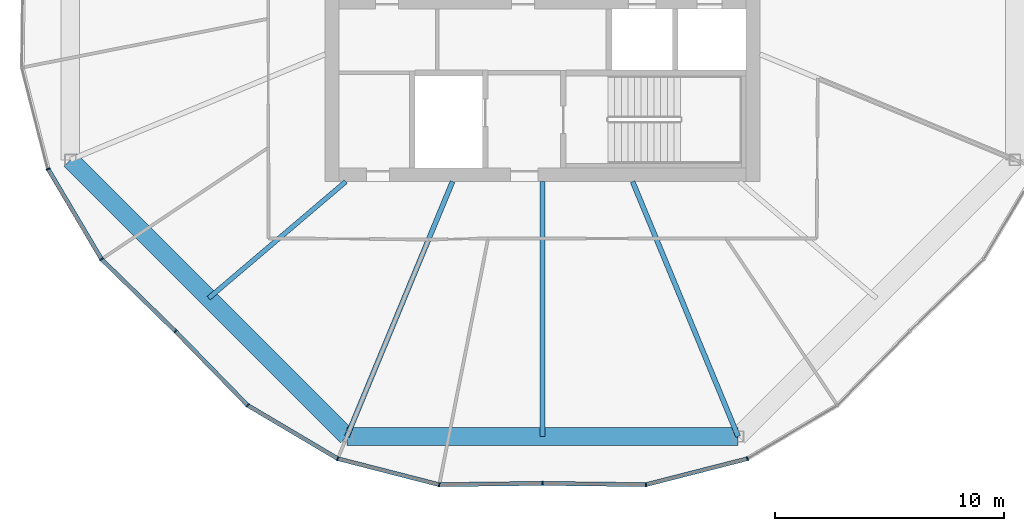
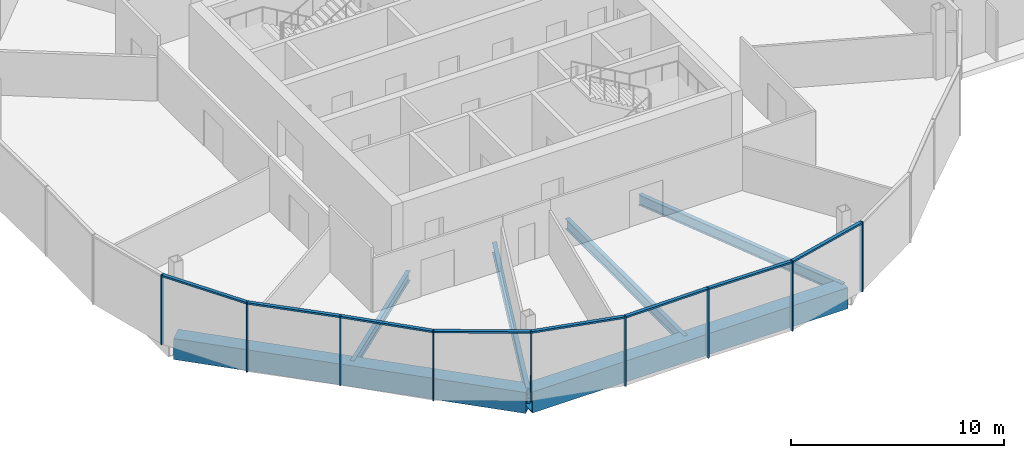
# One storey, part 3 of 25: 17 members, 6 beams, 3 elements without a shape of their own.
"""IFC4 building model written with IfcOpenShell, lengths in metres."""

from ifc_helpers import new_model, si_unit, direction, frame, origin, origin_2d, place, context, subcontext, project, spatial, rectangle, hollow_rectangle, i_section, extrude, material, material_profile, profile_set, type_object, element, aggregate, save


model = new_model("IFC4")

# Units and contexts
model_context = context("Model", 3, precision=1e-05, world=origin(), true_north=direction((0.0, 1.0)))
body_context = subcontext(model_context, "Body", "Model", "MODEL_VIEW")
ifc_project = project(units=[si_unit("LENGTHUNIT", "METRE"), si_unit("AREAUNIT", "SQUARE_METRE"), si_unit("VOLUMEUNIT", "CUBIC_METRE"), si_unit("PLANEANGLEUNIT", "RADIAN"), si_unit("MASSUNIT", "GRAM", prefix="KILO")], contexts=[model_context])

# Site, building, storey
site_placement = place(None, origin())
site = spatial("IfcSite", under=ifc_project, at=site_placement, CompositionType="ELEMENT")
building_placement = place(site_placement, origin())
building = spatial("IfcBuilding", under=site, at=building_placement, Name="Ogive Gate Towers", CompositionType="ELEMENT")
storey_placement = place(building_placement, frame((0.0, 0.0, 144.800048828125)))
storey = spatial("IfcBuildingStorey", under=building, at=storey_placement, Name="L34", CompositionType="ELEMENT", Elevation=144.800048828125)

# Beams
ifc_material_1 = material(Name="Steel SM460", Category="steel")
ifc_material_profile_1 = material_profile(ifc_material_1, hollow_rectangle(XDim=0.800048828125, YDim=1.199951171875, WallThickness=0.050048828125, at=origin_2d()), Name="BX 1200x800x50")
ifc_profile_set_1 = profile_set([ifc_material_profile_1], Name="Steel SM460")
beam_type_1 = type_object("IfcBeamType", Name="Edge girder BX 1200x800x50", PredefinedType="BEAM", material=ifc_profile_set_1)
beam_1_placement = place(storey_placement, frame((-56.639404296875, -8.549072265625, -0.900146484375), z_axis=(0.707106781187, -0.707106781187, 0.0), x_axis=(0.707106781187, 0.707106781187, 0.0)))
element("IfcBeam", 1, at=beam_1_placement, inside=storey, type_object=beam_type_1, Name="T1/L34/SBM017", PredefinedType="BEAM", context=body_context, shape_type="SweptSolid", body=[
    extrude(hollow_rectangle(XDim=0.800048828125, YDim=1.199951171875, WallThickness=0.050048828125, at=origin_2d()), origin(), (0.0, 0.0, 1.0), 17.098388671875),
])
beam_2_placement = place(storey_placement, frame((-44.549072265625, -20.639404296875, -0.900146484375), z_axis=(1.0, 0.0, 0.0), x_axis=(0.0, 1.0, 0.0)))
element("IfcBeam", 2, at=beam_2_placement, inside=storey, type_object=beam_type_1, Name="T1/L34/SBM018", PredefinedType="BEAM", context=body_context, shape_type="SweptSolid", body=[
    extrude(hollow_rectangle(XDim=0.800048828125, YDim=1.199951171875, WallThickness=0.050048828125, at=origin_2d()), origin(), (0.0, 0.0, 1.0), 17.09814453125),
])
ifc_material_2 = material(Name="Steel SM355", Category="steel")
ifc_material_profile_2 = material_profile(ifc_material_2, i_section(OverallWidth=0.2099609375, OverallDepth=0.550048828125, WebThickness=0.010986328125, FlangeThickness=0.01708984375, FilletRadius=0.02392578125, at=origin_2d()), Name="IPE 550")
ifc_profile_set_2 = profile_set([ifc_material_profile_2], Name="Steel SM355")
beam_type_2 = type_object("IfcBeamType", Name="Radial floor beam IPE 550", PredefinedType="BEAM", material=ifc_profile_set_2)
beam_3_placement = place(storey_placement, frame((-44.60009765625, -9.5, -0.574951171875), z_axis=(-0.761988324045, -0.647590761222, 0.0), x_axis=(0.647590761222, -0.761988324045, 0.0)))
element("IfcBeam", 3, at=beam_3_placement, inside=storey, type_object=beam_type_2, Name="T1/L34/SBM002", PredefinedType="BEAM", context=body_context, shape_type="SweptSolid", body=[
    extrude(i_section(OverallWidth=0.2099609375, OverallDepth=0.550048828125, WebThickness=0.010986328125, FlangeThickness=0.01708984375, FilletRadius=0.02392578125, at=origin_2d()), origin(), (0.0, 0.0, 1.0), 7.866455078125),
])
ifc_material_profile_3 = material_profile(ifc_material_2, i_section(OverallWidth=0.219970703125, OverallDepth=0.60009765625, WebThickness=0.011962890625, FlangeThickness=0.01904296875, FilletRadius=0.02392578125, at=origin_2d()), Name="IPE 600")
ifc_profile_set_3 = profile_set([ifc_material_profile_3], Name="Steel SM355")
beam_type_3 = type_object("IfcBeamType", Name="Radial floor beam IPE 600", PredefinedType="BEAM", material=ifc_profile_set_3)
beam_4_placement = place(storey_placement, frame((-39.93505859375, -9.5, -0.60009765625), z_axis=(-0.382677863518, -0.923881839184, 0.0), x_axis=(0.923881839184, -0.382677863518, 0.0)))
element("IfcBeam", 4, at=beam_4_placement, inside=storey, type_object=beam_type_3, Name="T1/L34/SBM003", PredefinedType="BEAM", context=body_context, shape_type="SweptSolid", body=[
    extrude(i_section(OverallWidth=0.219970703125, OverallDepth=0.60009765625, WebThickness=0.011962890625, FlangeThickness=0.01904296875, FilletRadius=0.02392578125, at=origin_2d()), origin(), (0.0, 0.0, 1.0), 12.05712890625),
])
beam_5_placement = place(storey_placement, frame((-36.0, -9.5, -0.60009765625), z_axis=(0.0, -1.0, 0.0), x_axis=(1.0, 0.0, 0.0)))
element("IfcBeam", 5, at=beam_5_placement, inside=storey, type_object=beam_type_3, Name="T1/L34/SBM004", PredefinedType="BEAM", context=body_context, shape_type="SweptSolid", body=[
    extrude(i_section(OverallWidth=0.219970703125, OverallDepth=0.60009765625, WebThickness=0.011962890625, FlangeThickness=0.01904296875, FilletRadius=0.02392578125, at=origin_2d()), origin(), (0.0, 0.0, 1.0), 11.139404296875),
])
beam_6_placement = place(storey_placement, frame((-32.06494140625, -9.5, -0.60009765625), z_axis=(0.382677863518, -0.923881839184, 0.0), x_axis=(0.923881839184, 0.382677863518, 0.0)))
element("IfcBeam", 6, at=beam_6_placement, inside=storey, type_object=beam_type_3, Name="T1/L34/SBM005", PredefinedType="BEAM", context=body_context, shape_type="SweptSolid", body=[
    extrude(i_section(OverallWidth=0.219970703125, OverallDepth=0.60009765625, WebThickness=0.011962890625, FlangeThickness=0.01904296875, FilletRadius=0.02392578125, at=origin_2d()), origin(), (0.0, 0.0, 1.0), 12.05712890625),
])

# Curtain wall, members
ifc_material_3 = material(Name="Pale metal aluminium", Category="aluminium")
curtain_wall_type = type_object("IfcCurtainWallType", Name="Tower unitised wall, high zone", PredefinedType="NOTDEFINED", material=ifc_material_3)
curtain_wall_1_placement = place(storey_placement, origin())
curtain_wall_1 = element("IfcCurtainWall", 7, at=curtain_wall_1_placement, inside=storey, type_object=curtain_wall_type, Name="CW2 T1 ECW05", PredefinedType="NOTDEFINED")
ifc_material_profile_4 = material_profile(ifc_material_3, rectangle(XDim=0.179931640625, YDim=0.06005859375, at=origin_2d()), Name="60 x 180 aluminium box")
ifc_profile_set_4 = profile_set([ifc_material_profile_4], Name="Pale metal aluminium")
member_type_1 = type_object("IfcMemberType", Name="Tower unitised wall, high zone mullion 60 x 180", PredefinedType="MULLION", material=ifc_profile_set_4)
member_1_placement = place(storey_placement, frame((-57.610595703125, -8.951416015625, -0.300048828125), z_axis=(0.0, 0.0, 1.0), x_axis=(-0.923879532511, -0.382683432365, 0.0)))
member_1 = element("IfcMember", 8, at=member_1_placement, type_object=member_type_1, Name="CW2 mullion", PredefinedType="MULLION", context=body_context, shape_type="SweptSolid", body=[
    extrude(rectangle(XDim=0.179931640625, YDim=0.06005859375, at=origin_2d()), origin(), (0.0, 0.0, 1.0), 4.0),
])
member_2_placement = place(storey_placement, frame((-55.2783203125, -12.889892578125, -0.300048828125), z_axis=(0.0, 0.0, 1.0), x_axis=(-0.786148223999, -0.618038000371, 0.0)))
member_2 = element("IfcMember", 9, at=member_2_placement, type_object=member_type_1, Name="CW2 mullion", PredefinedType="MULLION", context=body_context, shape_type="SweptSolid", body=[
    extrude(rectangle(XDim=0.179931640625, YDim=0.06005859375, at=origin_2d()), origin(), (0.0, 0.0, 1.0), 4.0),
])
member_3_placement = place(storey_placement, frame((-52.044189453125, -16.044189453125, -0.300048828125), z_axis=(0.0, 0.0, 1.0), x_axis=(-0.698240387858, -0.715863367385, 0.0)))
member_3 = element("IfcMember", 10, at=member_3_placement, type_object=member_type_1, Name="CW2 mullion", PredefinedType="MULLION", context=body_context, shape_type="SweptSolid", body=[
    extrude(rectangle(XDim=0.179931640625, YDim=0.06005859375, at=origin_2d()), origin(), (0.0, 0.0, 1.0), 4.0),
])

curtain_wall_2_placement = place(storey_placement, origin())
curtain_wall_2 = element("IfcCurtainWall", 11, at=curtain_wall_2_placement, inside=storey, type_object=curtain_wall_type, Name="CW2 T1 ECW06", PredefinedType="NOTDEFINED")
member_4_placement = place(storey_placement, frame((-48.889892578125, -19.2783203125, -0.300048828125), z_axis=(0.0, 0.0, 1.0), x_axis=(-0.618038000371, -0.786148223999, 0.0)))
member_4 = element("IfcMember", 12, at=member_4_placement, type_object=member_type_1, Name="CW2 mullion", PredefinedType="MULLION", context=body_context, shape_type="SweptSolid", body=[
    extrude(rectangle(XDim=0.179931640625, YDim=0.06005859375, at=origin_2d()), origin(), (0.0, 0.0, 1.0), 4.0),
])
member_5_placement = place(storey_placement, frame((-44.951416015625, -21.610595703125, -0.300048828125), z_axis=(0.0, 0.0, 1.0), x_axis=(-0.382683432365, -0.923879532511, 0.0)))
member_5 = element("IfcMember", 13, at=member_5_placement, type_object=member_type_1, Name="CW2 mullion", PredefinedType="MULLION", context=body_context, shape_type="SweptSolid", body=[
    extrude(rectangle(XDim=0.179931640625, YDim=0.06005859375, at=origin_2d()), origin(), (0.0, 0.0, 1.0), 4.0),
])
member_6_placement = place(storey_placement, frame((-40.517333984375, -22.746337890625, -0.300048828125), z_axis=(0.0, 0.0, 1.0), x_axis=(-0.118889208638, -0.992907526444, 0.0)))
member_6 = element("IfcMember", 14, at=member_6_placement, type_object=member_type_1, Name="CW2 mullion", PredefinedType="MULLION", context=body_context, shape_type="SweptSolid", body=[
    extrude(rectangle(XDim=0.179931640625, YDim=0.06005859375, at=origin_2d()), origin(), (0.0, 0.0, 1.0), 4.0),
])
member_7_placement = place(storey_placement, frame((-36.0, -22.68994140625, -0.300048828125), z_axis=(0.0, 0.0, 1.0), x_axis=(0.012461328328, -0.999922354634, 0.0)))
member_7 = element("IfcMember", 15, at=member_7_placement, type_object=member_type_1, Name="CW2 mullion", PredefinedType="MULLION", context=body_context, shape_type="SweptSolid", body=[
    extrude(rectangle(XDim=0.179931640625, YDim=0.06005859375, at=origin_2d()), origin(), (0.0, 0.0, 1.0), 4.0),
])

curtain_wall_3_placement = place(storey_placement, origin())
curtain_wall_3 = element("IfcCurtainWall", 16, at=curtain_wall_3_placement, inside=storey, type_object=curtain_wall_type, Name="CW2 T1 ECW07", PredefinedType="NOTDEFINED")
member_8_placement = place(storey_placement, frame((-31.482666015625, -22.746337890625, -0.300048828125), z_axis=(0.0, 0.0, 1.0), x_axis=(0.118889208638, -0.992907526444, 0.0)))
member_8 = element("IfcMember", 17, at=member_8_placement, type_object=member_type_1, Name="CW2 mullion", PredefinedType="MULLION", context=body_context, shape_type="SweptSolid", body=[
    extrude(rectangle(XDim=0.179931640625, YDim=0.06005859375, at=origin_2d()), origin(), (0.0, 0.0, 1.0), 4.0),
])
member_9_placement = place(storey_placement, frame((-27.048583984375, -21.610595703125, -0.300048828125), z_axis=(0.0, 0.0, 1.0), x_axis=(0.382683432365, -0.923879532511, 0.0)))
member_9 = element("IfcMember", 18, at=member_9_placement, type_object=member_type_1, Name="CW2 mullion", PredefinedType="MULLION", context=body_context, shape_type="SweptSolid", body=[
    extrude(rectangle(XDim=0.179931640625, YDim=0.06005859375, at=origin_2d()), origin(), (0.0, 0.0, 1.0), 4.0),
])

# Member
ifc_material_profile_5 = material_profile(ifc_material_3, rectangle(XDim=0.179931640625, YDim=0.10009765625, at=origin_2d()), Name="100 x 180 aluminium box")
ifc_profile_set_5 = profile_set([ifc_material_profile_5], Name="Pale metal aluminium")
member_type_2 = type_object("IfcMemberType", Name="Tower unitised wall, high zone transom 100 x 180", PredefinedType="USERDEFINED", material=ifc_profile_set_5)
member_10_placement = place(storey_placement, frame((-57.595703125, -8.975830078125, 3.64990234375), z_axis=(0.509482534209, -0.860480997661, 0.0), x_axis=(0.860480997661, 0.509482534209, 0.0)))
member_10 = element("IfcMember", 19, at=member_10_placement, type_object=member_type_2, Name="CW2 transom", ObjectType="TRANSOM", PredefinedType="USERDEFINED", context=body_context, shape_type="SweptSolid", body=[
    extrude(rectangle(XDim=0.179931640625, YDim=0.10009765625, at=origin_2d()), origin(), (0.0, 0.0, 1.0), 4.519775390625),
])

member_11_placement = place(storey_placement, frame((-55.2578125, -12.909912109375, 3.64990234375), z_axis=(0.71586738825, -0.698236265486, 0.0), x_axis=(0.698236265486, 0.71586738825, 0.0)))
member_11 = element("IfcMember", 20, at=member_11_placement, type_object=member_type_2, Name="CW2 transom", ObjectType="TRANSOM", PredefinedType="USERDEFINED", context=body_context, shape_type="SweptSolid", body=[
    extrude(rectangle(XDim=0.179931640625, YDim=0.10009765625, at=origin_2d()), origin(), (0.0, 0.0, 1.0), 4.458740234375),
])

aggregate(curtain_wall_1, [member_1, member_2, member_10, member_3, member_11])

member_12_placement = place(storey_placement, frame((-52.023193359375, -16.06591796875, 3.64990234375), z_axis=(0.698236265486, -0.71586738825, 0.0), x_axis=(0.71586738825, 0.698236265486, 0.0)))
member_12 = element("IfcMember", 21, at=member_12_placement, type_object=member_type_2, Name="CW2 transom", ObjectType="TRANSOM", PredefinedType="USERDEFINED", context=body_context, shape_type="SweptSolid", body=[
    extrude(rectangle(XDim=0.179931640625, YDim=0.10009765625, at=origin_2d()), origin(), (0.0, 0.0, 1.0), 4.458740234375),
])

member_13_placement = place(storey_placement, frame((-48.864990234375, -19.29296875, 3.64990234375), z_axis=(0.860480997661, -0.509482534209, 0.0), x_axis=(0.509482534209, 0.860480997661, 0.0)))
member_13 = element("IfcMember", 22, at=member_13_placement, type_object=member_type_2, Name="CW2 transom", ObjectType="TRANSOM", PredefinedType="USERDEFINED", context=body_context, shape_type="SweptSolid", body=[
    extrude(rectangle(XDim=0.179931640625, YDim=0.10009765625, at=origin_2d()), origin(), (0.0, 0.0, 1.0), 4.519775390625),
])

member_14_placement = place(storey_placement, frame((-44.923583984375, -21.617431640625, 3.64990234375), z_axis=(0.968708835066, -0.248199905048, 0.0), x_axis=(0.248199905048, 0.968708835066, 0.0)))
member_14 = element("IfcMember", 23, at=member_14_placement, type_object=member_type_2, Name="CW2 transom", ObjectType="TRANSOM", PredefinedType="USERDEFINED", context=body_context, shape_type="SweptSolid", body=[
    extrude(rectangle(XDim=0.179931640625, YDim=0.10009765625, at=origin_2d()), origin(), (0.0, 0.0, 1.0), 4.519775390625),
])

member_15_placement = place(storey_placement, frame((-40.48876953125, -22.745849609375, 3.64990234375), z_axis=(0.999922762686, 0.012428542251, 0.0), x_axis=(-0.012428542251, 0.999922762686, 0.0)))
member_15 = element("IfcMember", 24, at=member_15_placement, type_object=member_type_2, Name="CW2 transom", ObjectType="TRANSOM", PredefinedType="USERDEFINED", context=body_context, shape_type="SweptSolid", body=[
    extrude(rectangle(XDim=0.179931640625, YDim=0.10009765625, at=origin_2d()), origin(), (0.0, 0.0, 1.0), 4.458984375),
])

aggregate(curtain_wall_2, [member_4, member_12, member_5, member_13, member_6, member_14, member_7, member_15])

member_16_placement = place(storey_placement, frame((-35.969970703125, -22.6904296875, 3.64990234375), z_axis=(0.999922762686, -0.012428542251, 0.0), x_axis=(0.012428542251, 0.999922762686, 0.0)))
member_16 = element("IfcMember", 25, at=member_16_placement, type_object=member_type_2, Name="CW2 transom", ObjectType="TRANSOM", PredefinedType="USERDEFINED", context=body_context, shape_type="SweptSolid", body=[
    extrude(rectangle(XDim=0.179931640625, YDim=0.10009765625, at=origin_2d()), origin(), (0.0, 0.0, 1.0), 4.458984375),
])

member_17_placement = place(storey_placement, frame((-31.454833984375, -22.7392578125, 3.64990234375), z_axis=(0.968708835066, 0.248199905048, 0.0), x_axis=(-0.248199905048, 0.968708835066, 0.0)))
member_17 = element("IfcMember", 26, at=member_17_placement, type_object=member_type_2, Name="CW2 transom", ObjectType="TRANSOM", PredefinedType="USERDEFINED", context=body_context, shape_type="SweptSolid", body=[
    extrude(rectangle(XDim=0.179931640625, YDim=0.10009765625, at=origin_2d()), origin(), (0.0, 0.0, 1.0), 4.519775390625),
])

aggregate(curtain_wall_3, [member_8, member_16, member_9, member_17])

save(model, "model.ifc")
